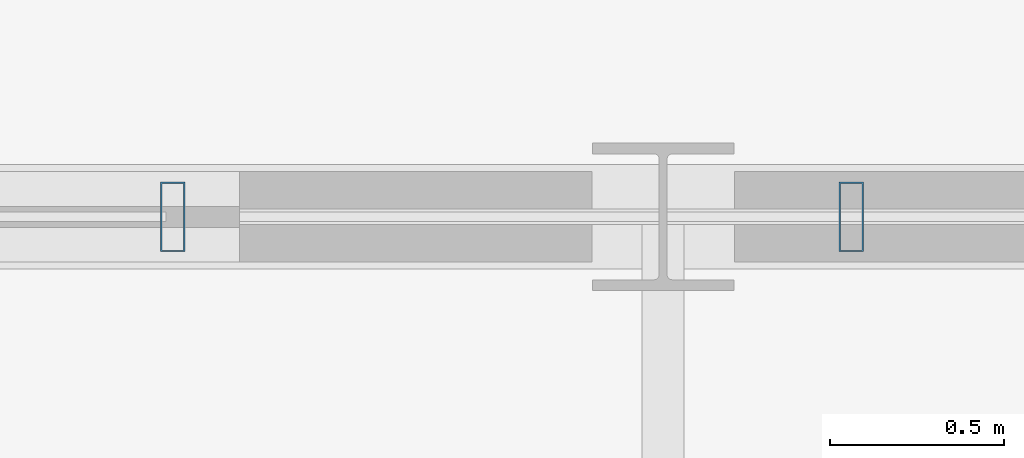
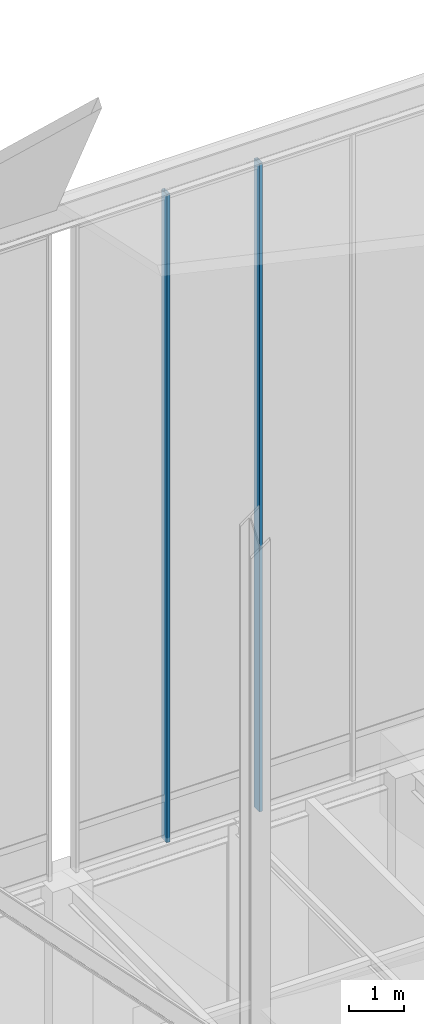
# One storey, part 27 of 49: 2 members, 1 element without a shape of its own.
"""IFC4 building model written with IfcOpenShell, lengths in metres."""

from ifc_helpers import new_model, si_unit, direction, frame, origin, origin_2d, place, context, subcontext, project, spatial, hollow_rectangle, extrude, source, transform, mapped, material, layer, layer_set, material_profile, profile_set, type_object, element, aggregate, save


model = new_model("IFC4")

# Units and contexts
model_context = context("Model", 3, precision=1e-05, world=origin(), true_north=direction((0.0, 1.0)))
body_context = subcontext(model_context, "Body", "Model", "MODEL_VIEW")
ifc_project = project(units=[si_unit("LENGTHUNIT", "METRE"), si_unit("AREAUNIT", "SQUARE_METRE"), si_unit("VOLUMEUNIT", "CUBIC_METRE"), si_unit("PLANEANGLEUNIT", "RADIAN"), si_unit("MASSUNIT", "GRAM", prefix="KILO")], contexts=[model_context])

# Site, building, storey
site_placement = place(None, origin())
site = spatial("IfcSite", under=ifc_project, at=site_placement, CompositionType="ELEMENT")
building_placement = place(site_placement, origin())
building = spatial("IfcBuilding", under=site, at=building_placement, Name="Kaliganga Portal Commons", CompositionType="ELEMENT")
storey_placement = place(building_placement, frame((0.0, 0.0, 298.0)))
storey = spatial("IfcBuildingStorey", under=building, at=storey_placement, Name="L77", CompositionType="ELEMENT", Elevation=298.0)

# Curtain wall, members
ifc_material_1 = material(Name="Anodized Aluminium and Laminated Low-E Glass", Category="aluminium")
ifc_layer = layer(ifc_material_1, 0.25)
ifc_layer_set = layer_set([ifc_layer], Name="Anodized Aluminium and Laminated Low-E Glass")
curtain_wall_type = type_object("IfcCurtainWallType", Name="CW-SYS-06", PredefinedType="NOTDEFINED", material=ifc_layer_set)
curtain_wall_placement = place(storey_placement, origin())
curtain_wall = element("IfcCurtainWall", 1, at=curtain_wall_placement, inside=storey, type_object=curtain_wall_type, Name="CW 06 L77 NE", PredefinedType="NOTDEFINED")
ifc_material_2 = material(Name="Dark Bronze Anodized Aluminium", Category="aluminium")
ifc_material_profile = material_profile(ifc_material_2, hollow_rectangle(XDim=0.070068359375, YDim=0.199951171875, WallThickness=0.00390625, at=origin_2d()), Name="ALU MULL 70x200x4")
ifc_profile_set = profile_set([ifc_material_profile], Name="Dark Bronze Anodized Aluminium")
member_type = type_object("IfcMemberType", Name="CW-MUL-220", PredefinedType="MULLION", material=ifc_profile_set)
shared_shape = source(origin(), body_context, "Body", "SweptSolid", [
    extrude(hollow_rectangle(XDim=0.070068359375, YDim=0.199951171875, WallThickness=0.00390625, at=origin_2d()), origin(), (0.0, 0.0, 1.0), 14.39990234375),
])
member_1_placement = place(storey_placement, frame((32.93896484375, 43.199951171875, 6.0), z_axis=(0.0, 0.0, 1.0), x_axis=(-1.0, 0.0, 0.0)))
member_1 = element("IfcMember", 2, at=member_1_placement, type_object=member_type, Name="CW:06:L77:NE Mullion 07", PredefinedType="MULLION", context=body_context, shape_type="MappedRepresentation", body=[
    mapped(shared_shape, transform((0.0, 0.0, 0.0), x_axis=(1.0, 0.0, 0.0), y_axis=(0.0, 1.0, 0.0), z_axis=(0.0, 0.0, 1.0), scale=1.0)),
])
member_2_placement = place(storey_placement, frame((30.994384765625, 43.199951171875, 6.0), z_axis=(0.0, 0.0, 1.0), x_axis=(-1.0, 0.0, 0.0)))
member_2 = element("IfcMember", 3, at=member_2_placement, type_object=member_type, Name="CW:06:L77:NE Mullion 08", PredefinedType="MULLION", context=body_context, shape_type="MappedRepresentation", body=[
    mapped(shared_shape, transform((0.0, 0.0, 0.0), x_axis=(1.0, 0.0, 0.0), y_axis=(0.0, 1.0, 0.0), z_axis=(0.0, 0.0, 1.0), scale=1.0)),
])
aggregate(curtain_wall, [member_1, member_2])

save(model, "model.ifc")
